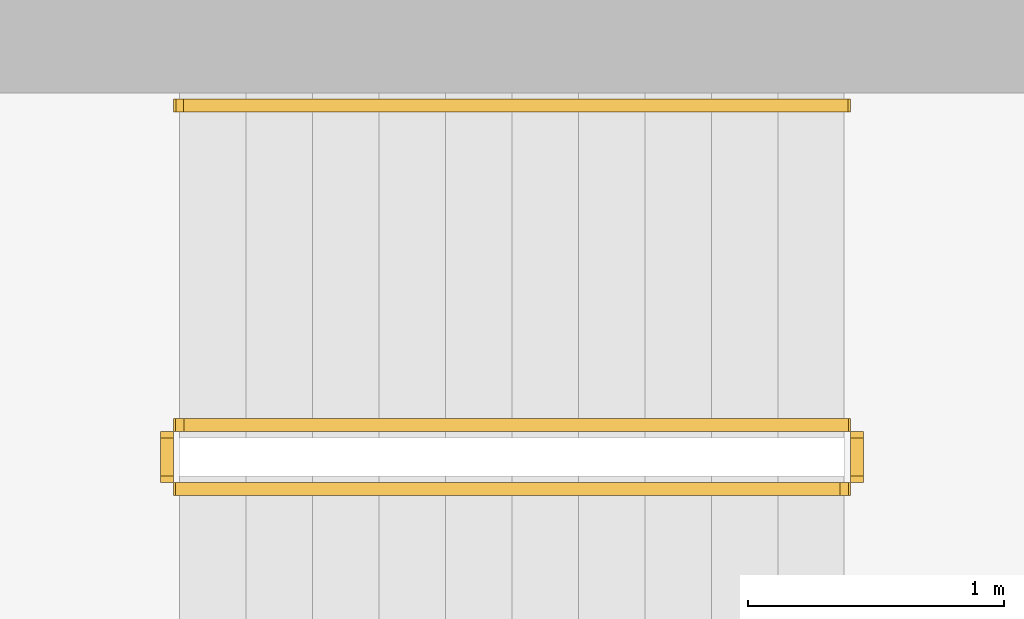
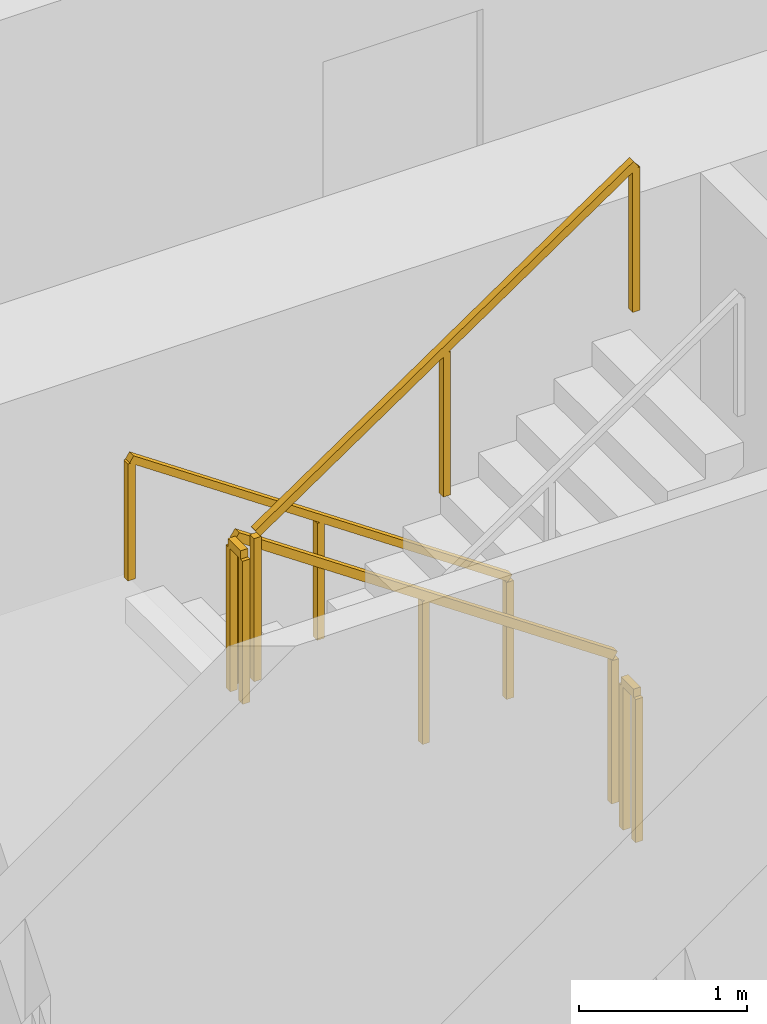
# One storey, part 14 of 15: 5 railings.
"""IFC4 building model written with IfcOpenShell, lengths in metres."""

from ifc_helpers import new_model, si_unit, direction, frame, origin, origin_2d, place, context, subcontext, project, spatial, rectangle, extrude, material, type_object, element, save


model = new_model("IFC4")

# Units and contexts
model_context = context("Model", 3, precision=1e-05, world=origin(), true_north=direction((0.0, 1.0)))
body_context = subcontext(model_context, "Body", "Model", "MODEL_VIEW")
ifc_project = project(units=[si_unit("LENGTHUNIT", "METRE"), si_unit("AREAUNIT", "SQUARE_METRE"), si_unit("VOLUMEUNIT", "CUBIC_METRE"), si_unit("PLANEANGLEUNIT", "RADIAN"), si_unit("MASSUNIT", "GRAM", prefix="KILO")], contexts=[model_context])

# Site, building, storey
site_placement = place(None, origin())
site = spatial("IfcSite", under=ifc_project, at=site_placement, CompositionType="ELEMENT")
building_placement = place(site_placement, origin())
building = spatial("IfcBuilding", under=site, at=building_placement, Name="Khepri Terraces", CompositionType="ELEMENT")
storey_placement = place(building_placement, frame((0.0, 0.0, 46.5)))
storey = spatial("IfcBuildingStorey", under=building, at=storey_placement, Name="L10", CompositionType="ELEMENT", Elevation=46.5)

# Railings
ifc_material = material(Name="Stainless steel 316", Category="steel")
railing_type_1 = type_object("IfcRailingType", Name="RL-CORE-GUARD", PredefinedType="GUARDRAIL", material=ifc_material)
railing_1_placement = place(storey_placement, frame((-0.25, 8.800048828125, 0.17724609375)))
element("IfcRailing", 1, at=railing_1_placement, inside=storey, type_object=railing_type_1, Name="L10 ST-3 stair guard 1", PredefinedType="GUARDRAIL", context=body_context, shape_type="SweptSolid", body=[
    extrude(rectangle(XDim=0.050048828125, YDim=0.06005859375, at=origin_2d()), frame((0.0, 0.0, 1.070068359375), z_axis=(-0.826240473404, 0.0, 0.563317565952), x_axis=(0.0, -1.0, 0.0)), (0.0, 0.0, 1.0), 3.14697265625),
    extrude(rectangle(XDim=0.050048828125, YDim=0.050048828125, at=origin_2d()), origin(), (0.0, 0.0, 1.0), 1.0400390625),
    extrude(rectangle(XDim=0.050048828125, YDim=0.050048828125, at=origin_2d()), frame((-1.300048828125, 0.0, 0.88623046875)), (0.0, 0.0, 1.0), 1.0400390625),
    extrude(rectangle(XDim=0.050048828125, YDim=0.050048828125, at=origin_2d()), frame((-2.60009765625, 0.0, 1.772705078125)), (0.0, 0.0, 1.0), 1.0400390625),
])
railing_2_placement = place(storey_placement, frame((-2.89990234375, 8.75, 1.949951171875)))
element("IfcRailing", 2, at=railing_2_placement, inside=storey, type_object=railing_type_1, Name="L10 ST-3 stair guard 2", PredefinedType="GUARDRAIL", context=body_context, shape_type="SweptSolid", body=[
    extrude(rectangle(XDim=0.050048828125, YDim=0.06005859375, at=origin_2d()), frame((0.0, 0.0, 1.070068359375), z_axis=(0.0, -1.0, 0.0), x_axis=(1.0, 0.0, 0.0)), (0.0, 0.0, 1.0), 0.14990234375),
    extrude(rectangle(XDim=0.050048828125, YDim=0.050048828125, at=origin_2d()), origin(), (0.0, 0.0, 1.0), 1.0400390625),
    extrude(rectangle(XDim=0.050048828125, YDim=0.050048828125, at=origin_2d()), frame((0.0, -0.14990234375, 0.0)), (0.0, 0.0, 1.0), 1.0400390625),
])
railing_3_placement = place(storey_placement, frame((-2.85009765625, 8.550048828125, 2.127197265625)))
element("IfcRailing", 3, at=railing_3_placement, inside=storey, type_object=railing_type_1, Name="L10 ST-3 stair guard 3", PredefinedType="GUARDRAIL", context=body_context, shape_type="SweptSolid", body=[
    extrude(rectangle(XDim=0.050048828125, YDim=0.06005859375, at=origin_2d()), frame((0.0, 0.0, 1.070068359375), z_axis=(0.826240473404, 0.0, 0.563317565952), x_axis=(0.0, 1.0, 0.0)), (0.0, 0.0, 1.0), 3.14697265625),
    extrude(rectangle(XDim=0.050048828125, YDim=0.050048828125, at=origin_2d()), origin(), (0.0, 0.0, 1.0), 1.0400390625),
    extrude(rectangle(XDim=0.050048828125, YDim=0.050048828125, at=origin_2d()), frame((1.300048828125, 0.0, 0.88623046875)), (0.0, 0.0, 1.0), 1.0400390625),
    extrude(rectangle(XDim=0.050048828125, YDim=0.050048828125, at=origin_2d()), frame((2.60009765625, 0.0, 1.772705078125)), (0.0, 0.0, 1.0), 1.0400390625),
])
railing_4_placement = place(storey_placement, frame((-0.199951171875, 8.75, 0.0)))
element("IfcRailing", 4, at=railing_4_placement, inside=storey, type_object=railing_type_1, Name="L10 ST-3 stair guard 4", PredefinedType="GUARDRAIL", context=body_context, shape_type="SweptSolid", body=[
    extrude(rectangle(XDim=0.050048828125, YDim=0.06005859375, at=origin_2d()), frame((0.0, 0.0, 1.070068359375), z_axis=(0.0, -1.0, 0.0), x_axis=(1.0, 0.0, 0.0)), (0.0, 0.0, 1.0), 0.14990234375),
    extrude(rectangle(XDim=0.050048828125, YDim=0.050048828125, at=origin_2d()), origin(), (0.0, 0.0, 1.0), 1.0400390625),
    extrude(rectangle(XDim=0.050048828125, YDim=0.050048828125, at=origin_2d()), frame((0.0, -0.14990234375, 0.0)), (0.0, 0.0, 1.0), 1.0400390625),
])
railing_type_2 = type_object("IfcRailingType", Name="RL-CORE-HANDRAIL", PredefinedType="HANDRAIL", material=ifc_material)
railing_5_placement = place(storey_placement, frame((-0.25, 10.050048828125, 0.17724609375)))
element("IfcRailing", 5, at=railing_5_placement, inside=storey, type_object=railing_type_2, Name="L10 ST-3 stair handrail 1", PredefinedType="HANDRAIL", context=body_context, shape_type="SweptSolid", body=[
    extrude(rectangle(XDim=0.050048828125, YDim=0.050048828125, at=origin_2d()), frame((0.0, 0.0, 0.875), z_axis=(-0.826240473404, 0.0, 0.563317565952), x_axis=(0.0, -1.0, 0.0)), (0.0, 0.0, 1.0), 3.14697265625),
    extrude(rectangle(XDim=0.050048828125, YDim=0.050048828125, at=origin_2d()), origin(), (0.0, 0.0, 1.0), 0.849853515625),
    extrude(rectangle(XDim=0.050048828125, YDim=0.050048828125, at=origin_2d()), frame((-1.300048828125, 0.0, 0.88623046875)), (0.0, 0.0, 1.0), 0.849853515625),
    extrude(rectangle(XDim=0.050048828125, YDim=0.050048828125, at=origin_2d()), frame((-2.60009765625, 0.0, 1.772705078125)), (0.0, 0.0, 1.0), 0.849853515625),
])

save(model, "model.ifc")
